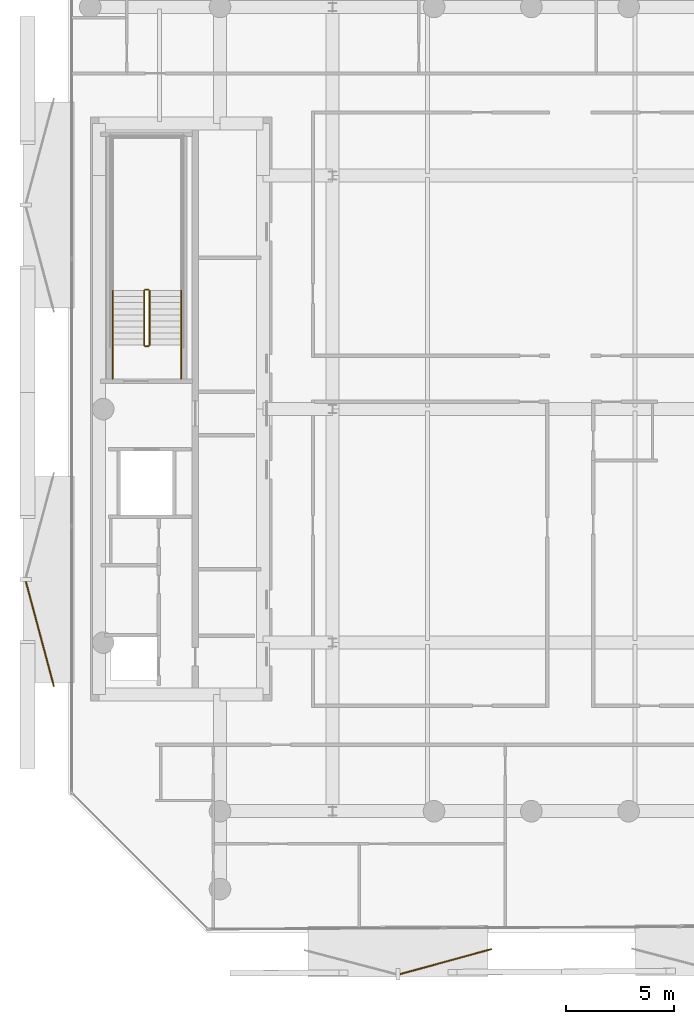
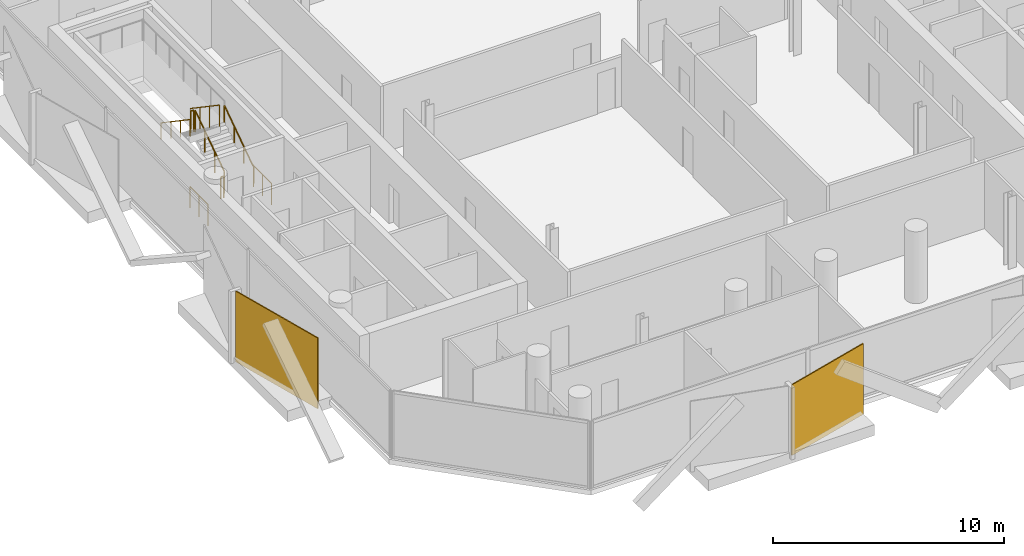
# One storey, part 13 of 15: 8 railings, 2 coverings.
"""IFC4 building model written with IfcOpenShell, lengths in metres."""

import ifcopenshell
import ifcopenshell.guid

model = None  # the IFC model being written
_history = None  # IfcOwnerHistory: only IFC2X3 demands one
_inside = {}  # id of a spatial element -> (the spatial element, [elements in it])
_under = {}  # id of a project, library or spatial element -> (it, [spatial elements below it])
_declared = {}  # id of a project -> (the project, [libraries it declares])
_typed = {}  # id of a type object -> (the type object, [elements of that type])
_made_of = {}  # id of a material, layer set ... -> (it, [elements and type objects made of it])


def new_model(schema):
    """Start an empty IFC model of exactly this schema.

    Asked for "IFC4X3", IfcOpenShell would pick the latest addendum, in which some entities
    have other attributes; the version numbers below select the first issue.
    IFC2X3 requires an IfcOwnerHistory on every rooted entity: one is made here for all.
    """
    global model, _history
    if schema == "IFC4X3":
        model = ifcopenshell.file(schema_version=(4, 3, 0, 0))
    else:
        model = ifcopenshell.file(schema=schema)
    _inside.clear()
    _under.clear()
    _declared.clear()
    _typed.clear()
    _made_of.clear()
    _history = None
    if model.schema == "IFC2X3":
        org = make("IfcOrganization", Name="unknown")
        user = make(
            "IfcPersonAndOrganization",
            ThePerson=make("IfcPerson", FamilyName="unknown"),
            TheOrganization=org,
        )
        app = make(
            "IfcApplication",
            ApplicationDeveloper=org,
            Version="unknown",
            ApplicationFullName="unknown",
            ApplicationIdentifier="unknown",
        )
        _history = make(
            "IfcOwnerHistory",
            OwningUser=user,
            OwningApplication=app,
            ChangeAction="ADDED",
            CreationDate=0,
        )
    return model


def make(cls, **values):
    """One entity of the class cls with the attributes given. An attribute that is None is left unset."""
    return model.create_entity(
        cls, **{name: value for name, value in values.items() if value is not None}
    )


def rooted(cls, **values):
    """An entity with a GlobalId (a new one), such as an element, a storey or a relation."""
    return make(cls, GlobalId=ifcopenshell.guid.new(), OwnerHistory=_history, **values)


def si_unit(unit_type, name, prefix=None):
    """IfcSIUnit, for example si_unit("LENGTHUNIT", "METRE", prefix="MILLI")."""
    return make("IfcSIUnit", UnitType=unit_type, Prefix=prefix, Name=name)


def assignment(units):
    """IfcUnitAssignment: the units of a project."""
    return None if units is None else make("IfcUnitAssignment", Units=units)


def point(xyz):
    """IfcCartesianPoint."""
    return None if xyz is None else make("IfcCartesianPoint", Coordinates=xyz)


def direction(xyz):
    """IfcDirection."""
    return None if xyz is None else make("IfcDirection", DirectionRatios=xyz)


def frame(location, z_axis=None, x_axis=None):
    """IfcAxis2Placement3D, a coordinate frame: its origin and axes. An axis left out is left unset."""
    return make(
        "IfcAxis2Placement3D",
        Location=point(location),
        Axis=direction(z_axis),
        RefDirection=direction(x_axis),
    )


def frame_2d(location, x_axis=None):
    """IfcAxis2Placement2D, a coordinate frame in the plane: its origin and x axis."""
    return make(
        "IfcAxis2Placement2D", Location=point(location), RefDirection=direction(x_axis)
    )


def origin():
    """The frame at (0, 0, 0) with its axes left unset."""
    return frame((0.0, 0.0, 0.0))


def origin_2d():
    """The frame at (0, 0) in the plane with its x axis left unset."""
    return frame_2d((0.0, 0.0))


def place(relative_to, where):
    """IfcLocalPlacement: puts the frame where relative to a parent placement (None: the world)."""
    return make(
        "IfcLocalPlacement", PlacementRelTo=relative_to, RelativePlacement=where
    )


def context(
    kind, dimensions, precision=None, world=None, true_north=None, identifier=None
):
    """IfcGeometricRepresentationContext, for example the 3D "Model" context."""
    return make(
        "IfcGeometricRepresentationContext",
        ContextIdentifier=identifier,
        ContextType=kind,
        CoordinateSpaceDimension=dimensions,
        Precision=precision,
        WorldCoordinateSystem=world,
        TrueNorth=true_north,
    )


def subcontext(parent, identifier, kind, view, scale=None):
    """IfcGeometricRepresentationSubContext, for example "Body" below "Model"."""
    return make(
        "IfcGeometricRepresentationSubContext",
        ContextIdentifier=identifier,
        ContextType=kind,
        ParentContext=parent,
        TargetScale=scale,
        TargetView=view,
    )


def project(units=None, contexts=None):
    """IfcProject with its units and contexts."""
    return rooted(
        "IfcProject",
        Name="project",
        RepresentationContexts=contexts,
        UnitsInContext=assignment(units),
    )


def spatial(cls, under=None, at=None, **own):
    """A site, building, storey or space (cls), placed at a placement, below another one or the project."""
    s = rooted(cls, ObjectPlacement=at, **own)
    if under is not None:
        _under.setdefault(under.id(), (under, []))[1].append(s)
    return s


def profile(cls, at=None, kind="AREA", **sizes):
    """A parametric profile (cls). Its sizes go by their IFC names, for example OverallWidth=200.0."""
    return make(cls, ProfileType=kind, Position=at, **sizes)


def rectangle(**sizes):
    """IfcRectangleProfileDef."""
    return profile("IfcRectangleProfileDef", **sizes)


def circle(**sizes):
    """IfcCircleProfileDef."""
    return profile("IfcCircleProfileDef", **sizes)


def extrude(swept, where, along, depth):
    """IfcExtrudedAreaSolid: the profile swept, set in the frame where, extruded along a direction by depth."""
    return make(
        "IfcExtrudedAreaSolid",
        SweptArea=swept,
        Position=where,
        ExtrudedDirection=direction(along),
        Depth=depth,
    )


def shape(context_of_items, identifier, shape_type, items):
    """IfcShapeRepresentation: the items that make up one representation, for example the "Body"."""
    return make(
        "IfcShapeRepresentation",
        ContextOfItems=context_of_items,
        RepresentationIdentifier=identifier,
        RepresentationType=shape_type,
        Items=items,
    )


def material(Name=None, Category=None):
    """IfcMaterial."""
    return make("IfcMaterial", Name=Name, Category=Category)


def layer(
    of_material, thickness, ventilated=None, Name=None, Category=None, Priority=None
):
    """IfcMaterialLayer: one layer of a wall or slab, of a material (None: an air gap)."""
    return make(
        "IfcMaterialLayer",
        Material=of_material,
        LayerThickness=thickness,
        IsVentilated=ventilated,
        Name=Name,
        Category=Category,
        Priority=Priority,
    )


def layer_set(layers, Name=None):
    """IfcMaterialLayerSet."""
    return make("IfcMaterialLayerSet", MaterialLayers=layers, LayerSetName=Name)


def made_of(thing, what):
    """Note that an element or type object is made of a material, layer set ...; save() writes the relation."""
    if what is not None:
        _made_of.setdefault(what.id(), (what, []))[1].append(thing)
    return thing


def type_object(cls, material=None, **own):
    """A type object (cls), such as IfcWallType, which elements share."""
    return made_of(rooted(cls, **own), material)


def element(
    cls,
    number,
    at=None,
    inside=None,
    cuts=None,
    type_object=None,
    material=None,
    context=None,
    identifier="Body",
    shape_type=None,
    held_by="IfcProductDefinitionShape",
    body=None,
    shapes=None,
    **own,
):
    """One element of the class cls, such as IfcWall. Its Tag is "e" and its number.

    at: its placement. inside: the storey or other place that contains it. cuts: it is an
    opening in that element (IfcRelVoidsElement). A single representation is given by context,
    identifier, shape_type and body (its items); several are given by shapes. held_by: the class
    of the entity that holds the representations. save() writes the other relations.
    """
    e = rooted(cls, Tag="e%d" % number, ObjectPlacement=at, **own)
    if body is not None:
        shapes = [shape(context, identifier, shape_type, body)]
    if shapes is not None:
        e.Representation = make(held_by, Representations=shapes)
    if inside is not None:
        _inside.setdefault(inside.id(), (inside, []))[1].append(e)
    if cuts is not None:
        rooted(
            "IfcRelVoidsElement", RelatingBuildingElement=cuts, RelatedOpeningElement=e
        )
    if type_object is not None:
        _typed.setdefault(type_object.id(), (type_object, []))[1].append(e)
    return made_of(e, material)


def aggregate(whole, parts):
    """IfcRelAggregates: a whole, such as a stair, and the parts it consists of."""
    return rooted("IfcRelAggregates", RelatingObject=whole, RelatedObjects=parts)


def save(model, path):
    """Write the relations noted so far, then the file.

    IfcRelAggregates (storeys below a building ...), IfcRelContainedInSpatialStructure (elements
    in a storey), IfcRelDefinesByType, IfcRelAssociatesMaterial and IfcRelDeclares: one each for
    every whole, place, type object, material and project.
    """
    for whole, parts in _under.values():
        aggregate(whole, parts)
    for where, things in _inside.values():
        rooted(
            "IfcRelContainedInSpatialStructure",
            RelatedElements=things,
            RelatingStructure=where,
        )
    for kind, things in _typed.values():
        rooted("IfcRelDefinesByType", RelatedObjects=things, RelatingType=kind)
    for what, things in _made_of.values():
        rooted("IfcRelAssociatesMaterial", RelatedObjects=things, RelatingMaterial=what)
    for by, libraries in _declared.values():
        rooted("IfcRelDeclares", RelatingContext=by, RelatedDefinitions=libraries)
    model.write(path)


model = new_model("IFC4")

# Units and contexts
model_context = context("Model", 3, precision=1e-05, world=origin(), true_north=direction((0.0, 1.0)))
body_context = subcontext(model_context, "Body", "Model", "MODEL_VIEW")
ifc_project = project(units=[si_unit("LENGTHUNIT", "METRE"), si_unit("AREAUNIT", "SQUARE_METRE"), si_unit("VOLUMEUNIT", "CUBIC_METRE"), si_unit("PLANEANGLEUNIT", "RADIAN"), si_unit("MASSUNIT", "GRAM", prefix="KILO")], contexts=[model_context])

# Site, building, storey
site_placement = place(None, origin())
site = spatial("IfcSite", under=ifc_project, at=site_placement, CompositionType="ELEMENT")
building_placement = place(site_placement, origin())
building = spatial("IfcBuilding", under=site, at=building_placement, Name="Khairoan Windgate Tower", CompositionType="ELEMENT")
storey_placement = place(building_placement, frame((0.0, 0.0, 289.0)))
storey = spatial("IfcBuildingStorey", under=building, at=storey_placement, Name="L69", CompositionType="ELEMENT", Elevation=289.0)

# Coverings
ifc_material_1 = material(Name="Anodised Bronze Aluminium 6063-T6", Category="aluminium")
ifc_layer = layer(ifc_material_1, 0.054931640625, Name="Anodised Bronze Aluminium 6063-T6")
ifc_layer_set = layer_set([ifc_layer], Name="Anodised Bronze Aluminium 6063-T6")
covering_type = type_object("IfcCoveringType", Name="Perforated Bronze-Ceramic Folded Solar Screen Cladding BSC-1", PredefinedType="CLADDING", material=ifc_layer_set)
covering_1_placement = place(storey_placement, frame((-3.95556640625, -25.556884765625, -0.10009765625), z_axis=(0.0, 0.0, 1.0), x_axis=(-0.964603458302, -0.263704698919, 0.0)))
element("IfcCovering", 1, at=covering_1_placement, inside=storey, type_object=covering_type, Name="L69 Folded Bronze Solar Screen Facet 479L", PredefinedType="CLADDING", context=body_context, shape_type="SweptSolid", body=[
    extrude(rectangle(XDim=4.389892578125, YDim=0.054931640625, at=origin_2d()), origin(), (0.0, 0.0, 1.0), 3.739990234375),
])
covering_2_placement = place(storey_placement, frame((-22.72998046875, -10.399169921875, -0.10009765625), z_axis=(0.0, 0.0, 1.0), x_axis=(-0.258819045103, 0.965925826289, 0.0)))
element("IfcCovering", 2, at=covering_2_placement, inside=storey, type_object=covering_type, Name="L69 Folded Bronze Solar Screen Facet 480L", PredefinedType="CLADDING", context=body_context, shape_type="SweptSolid", body=[
    extrude(rectangle(XDim=5.02197265625, YDim=0.054931640625, at=origin_2d()), origin(), (0.0, 0.0, 1.0), 3.739990234375),
])

# Railings
ifc_material_2 = material(Name="Anodised Bronze Aluminium 6063-T6", Category="aluminium")
railing_type_1 = type_object("IfcRailingType", Name="Stair Wall Handrail SHR-900", PredefinedType="HANDRAIL", material=ifc_material_2)
railing_1_placement = place(storey_placement, frame((-16.199951171875, 2.9599609375, 0.18994140625)))
element("IfcRailing", 3, at=railing_1_placement, inside=storey, type_object=railing_type_1, Name="L69 ST2 stair handrail 1", PredefinedType="HANDRAIL", context=body_context, shape_type="SweptSolid", body=[
    extrude(circle(Radius=0.02392578125, at=origin_2d()), frame((0.0, 0.0, 0.8759765625), z_axis=(0.0, 0.827483756001, 0.561489655786), x_axis=(-1.0, 0.0, 0.0)), (0.0, 0.0, 1.0), 3.04541015625),
    extrude(circle(Radius=0.02099609375, at=origin_2d()), origin(), (0.0, 0.0, 1.0), 0.851806640625),
    extrude(circle(Radius=0.02099609375, at=origin_2d()), frame((0.0, 0.840087890625, 0.570068359375)), (0.0, 0.0, 1.0), 0.851806640625),
    extrude(circle(Radius=0.02099609375, at=origin_2d()), frame((0.0, 1.679931640625, 1.139892578125)), (0.0, 0.0, 1.0), 0.851806640625),
    extrude(circle(Radius=0.02099609375, at=origin_2d()), frame((0.0, 2.52001953125, 1.7099609375)), (0.0, 0.0, 1.0), 0.851806640625),
])
railing_2_placement = place(storey_placement, frame((-19.3701171875, 5.47998046875, 2.090087890625)))
element("IfcRailing", 4, at=railing_2_placement, inside=storey, type_object=railing_type_1, Name="L69 ST2 stair handrail 2", PredefinedType="HANDRAIL", context=body_context, shape_type="SweptSolid", body=[
    extrude(circle(Radius=0.02392578125, at=origin_2d()), frame((0.0, 0.0, 0.8759765625), z_axis=(0.0, -0.827483756001, 0.561489655786), x_axis=(1.0, 0.0, 0.0)), (0.0, 0.0, 1.0), 3.04541015625),
    extrude(circle(Radius=0.02099609375, at=origin_2d()), origin(), (0.0, 0.0, 1.0), 0.851806640625),
    extrude(circle(Radius=0.02099609375, at=origin_2d()), frame((0.0, -0.840087890625, 0.570068359375)), (0.0, 0.0, 1.0), 0.851806640625),
    extrude(circle(Radius=0.02099609375, at=origin_2d()), frame((0.0, -1.679931640625, 1.139892578125)), (0.0, 0.0, 1.0), 0.851806640625),
    extrude(circle(Radius=0.02099609375, at=origin_2d()), frame((0.0, -2.52001953125, 1.7099609375)), (0.0, 0.0, 1.0), 0.851806640625),
])
ifc_material_3 = material(Name="Steel S355", Category="steel")
railing_type_2 = type_object("IfcRailingType", Name="Stairwell Safety Guardrail SGR-1150", PredefinedType="GUARDRAIL", material=ifc_material_3)
railing_3_placement = place(storey_placement, frame((-17.659912109375, 2.9599609375, 0.18994140625)))
element("IfcRailing", 5, at=railing_3_placement, inside=storey, type_object=railing_type_2, Name="L69 ST2 stair guard 1", PredefinedType="GUARDRAIL", context=body_context, shape_type="SweptSolid", body=[
    extrude(circle(Radius=0.02392578125, at=origin_2d()), frame((0.0, 0.0, 1.1259765625), z_axis=(0.0, 0.827483756001, 0.561489655786), x_axis=(-1.0, 0.0, 0.0)), (0.0, 0.0, 1.0), 3.04541015625),
    extrude(circle(Radius=0.02099609375, at=origin_2d()), origin(), (0.0, 0.0, 1.0), 1.101806640625),
    extrude(circle(Radius=0.02099609375, at=origin_2d()), frame((0.0, 0.840087890625, 0.570068359375)), (0.0, 0.0, 1.0), 1.101806640625),
    extrude(circle(Radius=0.02099609375, at=origin_2d()), frame((0.0, 1.679931640625, 1.139892578125)), (0.0, 0.0, 1.0), 1.101806640625),
    extrude(circle(Radius=0.02099609375, at=origin_2d()), frame((0.0, 2.52001953125, 1.7099609375)), (0.0, 0.0, 1.0), 1.101806640625),
])
railing_4_placement = place(storey_placement, frame((-17.7099609375, 5.530029296875, 1.89990234375)))
element("IfcRailing", 6, at=railing_4_placement, inside=storey, type_object=railing_type_2, Name="L69 ST2 stair guard 2", PredefinedType="GUARDRAIL", context=body_context, shape_type="SweptSolid", body=[
    extrude(circle(Radius=0.02392578125, at=origin_2d()), frame((0.0, 0.0, 1.1259765625), z_axis=(-1.0, 0.0, 0.0), x_axis=(0.0, -1.0, 0.0)), (0.0, 0.0, 1.0), 0.150146484375),
    extrude(circle(Radius=0.02099609375, at=origin_2d()), origin(), (0.0, 0.0, 1.0), 1.101806640625),
    extrude(circle(Radius=0.02099609375, at=origin_2d()), frame((-0.150146484375, 0.0, 0.0)), (0.0, 0.0, 1.0), 1.101806640625),
])
railing_5_placement = place(storey_placement, frame((-17.909912109375, 5.47998046875, 2.090087890625)))
element("IfcRailing", 7, at=railing_5_placement, inside=storey, type_object=railing_type_2, Name="L69 ST2 stair guard 6", PredefinedType="GUARDRAIL", context=body_context, shape_type="SweptSolid", body=[
    extrude(circle(Radius=0.02392578125, at=origin_2d()), frame((0.0, 0.0, 1.1259765625), z_axis=(0.0, -0.827483756001, 0.561489655786), x_axis=(1.0, 0.0, 0.0)), (0.0, 0.0, 1.0), 3.04541015625),
    extrude(circle(Radius=0.02099609375, at=origin_2d()), origin(), (0.0, 0.0, 1.0), 1.101806640625),
    extrude(circle(Radius=0.02099609375, at=origin_2d()), frame((0.0, -0.840087890625, 0.570068359375)), (0.0, 0.0, 1.0), 1.101806640625),
    extrude(circle(Radius=0.02099609375, at=origin_2d()), frame((0.0, -1.679931640625, 1.139892578125)), (0.0, 0.0, 1.0), 1.101806640625),
    extrude(circle(Radius=0.02099609375, at=origin_2d()), frame((0.0, -2.52001953125, 1.7099609375)), (0.0, 0.0, 1.0), 1.101806640625),
])
railing_6_placement = place(storey_placement, frame((-17.7099609375, 2.909912109375, 0.0)))
element("IfcRailing", 8, at=railing_6_placement, inside=storey, type_object=railing_type_2, Name="L69 ST2 stair guard 7", PredefinedType="GUARDRAIL", context=body_context, shape_type="SweptSolid", body=[
    extrude(circle(Radius=0.02392578125, at=origin_2d()), frame((0.0, 0.0, 1.1259765625), z_axis=(-1.0, 0.0, 0.0), x_axis=(0.0, -1.0, 0.0)), (0.0, 0.0, 1.0), 0.150146484375),
    extrude(circle(Radius=0.02099609375, at=origin_2d()), origin(), (0.0, 0.0, 1.0), 1.101806640625),
    extrude(circle(Radius=0.02099609375, at=origin_2d()), frame((-0.150146484375, 0.0, 0.0)), (0.0, 0.0, 1.0), 1.101806640625),
])
for number, where, name in (
    (9, (-16.199951171875, 1.39990234375, 0.0), "L69 ST2 stair guard 8"),
    (10, (-19.3701171875, 1.39990234375, 0.0), "L69 ST2 stair guard 9"),
):
    element("IfcRailing", number, at=place(storey_placement, frame(where)), inside=storey, type_object=railing_type_2, Name=name, PredefinedType="GUARDRAIL", context=body_context, shape_type="SweptSolid", body=[
        extrude(circle(Radius=0.02392578125, at=origin_2d()), frame((0.0, 0.0, 1.1259765625), z_axis=(0.0, 1.0, 0.0), x_axis=(-1.0, 0.0, 0.0)), (0.0, 0.0, 1.0), 1.56005859375),
        extrude(circle(Radius=0.02099609375, at=origin_2d()), origin(), (0.0, 0.0, 1.0), 1.101806640625),
        extrude(circle(Radius=0.02099609375, at=origin_2d()), frame((0.0, 0.780029296875, 0.0)), (0.0, 0.0, 1.0), 1.101806640625),
        extrude(circle(Radius=0.02099609375, at=origin_2d()), frame((0.0, 1.56005859375, 0.0)), (0.0, 0.0, 1.0), 1.101806640625),
    ])

save(model, "model.ifc")
